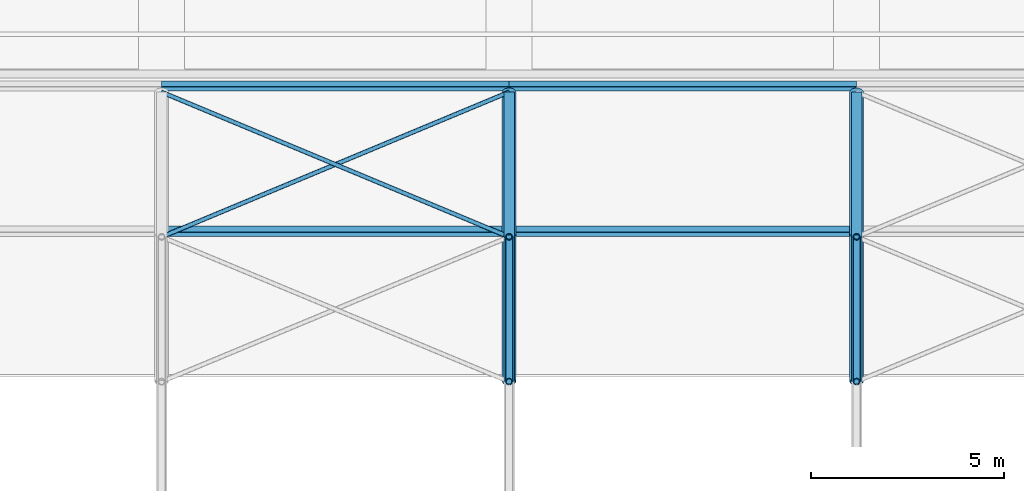
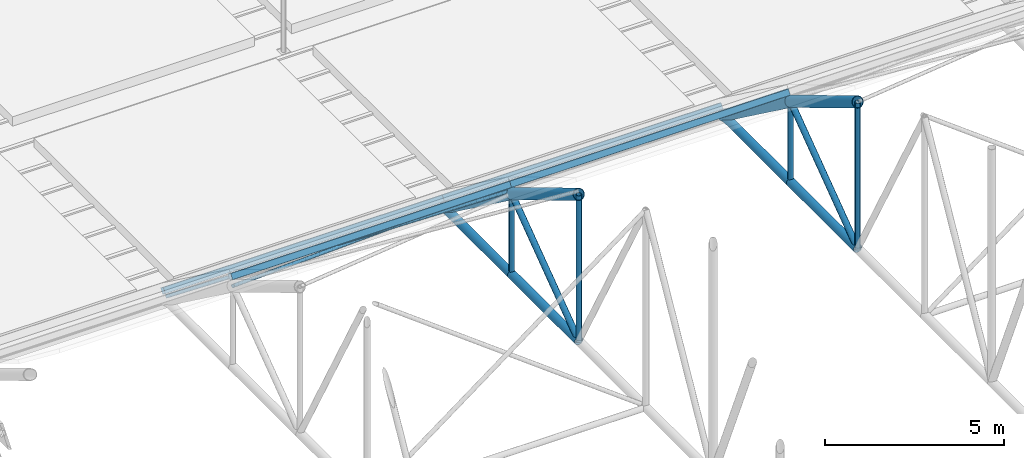
# One storey, part 41 of 153: 20 members.
"""IFC4 building model written with IfcOpenShell, lengths in metres."""

from ifc_helpers import new_model, si_unit, direction, frame, origin, origin_2d, place, context, subcontext, project, spatial, hollow_rectangle, hollow_circle, extrude, material, material_profile, profile_set, type_object, element, save


model = new_model("IFC4")

# Units and contexts
model_context = context("Model", 3, precision=1e-05, world=origin(), true_north=direction((0.0, 1.0)))
body_context = subcontext(model_context, "Body", "Model", "MODEL_VIEW")
ifc_project = project(units=[si_unit("LENGTHUNIT", "METRE"), si_unit("AREAUNIT", "SQUARE_METRE"), si_unit("VOLUMEUNIT", "CUBIC_METRE"), si_unit("PLANEANGLEUNIT", "RADIAN"), si_unit("MASSUNIT", "GRAM", prefix="KILO")], contexts=[model_context])

# Site, building, storey
site_placement = place(None, origin())
site = spatial("IfcSite", under=ifc_project, at=site_placement, CompositionType="ELEMENT")
building_placement = place(site_placement, origin())
building = spatial("IfcBuilding", under=site, at=building_placement, Name="Baradari Gate Terminus", CompositionType="ELEMENT")
storey_placement = place(building_placement, frame((0.0, 0.0, 11.699951171875)))
storey = spatial("IfcBuildingStorey", under=building, at=storey_placement, Name="L02", CompositionType="ELEMENT", Elevation=11.699951171875)

# Members
ifc_material_1 = material(Name="Steel S355", Category="steel")
ifc_material_profile_1 = material_profile(ifc_material_1, hollow_circle(Radius=0.136474609375, WallThickness=0.012451171875, at=origin_2d()), Name="CHS 273x12.5")
ifc_profile_set_1 = profile_set([ifc_material_profile_1], Name="Steel S355")
member_type_1 = type_object("IfcMemberType", Name="Shed bottom chord CHS 273x12.5", PredefinedType="CHORD", material=ifc_profile_set_1)
for number, where, z_axis, x_axis, name in (
    (1, (108.0, 73.5, 0.136474609375), (0.0, 1.0, 0.0), (-1.0, 0.0, 0.0), "TR/L02/S108-BC10"),
    (2, (108.0, 77.25, 0.136474609375), (0.0, 1.0, 0.0), (-1.0, 0.0, 0.0), "TR/L02/S108-BC11"),
    (3, (117.0, 73.5, 0.136474609375), (0.0, 1.0, 0.0), (-1.0, 0.0, 0.0), "TR/L02/S117-BC10"),
    (4, (117.0, 77.25, 0.136474609375), (0.0, 1.0, 0.0), (-1.0, 0.0, 0.0), "TR/L02/S117-BC11"),
):
    element("IfcMember", number, at=place(storey_placement, frame(where, z_axis=z_axis, x_axis=x_axis)), inside=storey, type_object=member_type_1, Name=name, PredefinedType="CHORD", context=body_context, shape_type="SweptSolid", body=[
        extrude(hollow_circle(Radius=0.136474609375, WallThickness=0.012451171875, at=origin_2d()), origin(), (0.0, 0.0, 1.0), 3.75),
    ])
ifc_material_2 = material(Name="Steel S355", Category="steel")
ifc_material_profile_2 = material_profile(ifc_material_2, hollow_rectangle(XDim=0.199951171875, YDim=0.199951171875, WallThickness=0.008056640625, InnerFilletRadius=0.008056640625, OuterFilletRadius=0.01611328125, at=origin_2d()), Name="SHS 200x200x8")
ifc_profile_set_2 = profile_set([ifc_material_profile_2], Name="Steel S355")
member_type_2 = type_object("IfcMemberType", Name="Shed purlin SHS 200x200x8", PredefinedType="PURLIN", material=ifc_profile_set_2)
for number, where, z_axis, x_axis, name in (
    (5, (99.0, 77.397216796875, 3.10791015625), (1.0, 0.0, 0.0), (0.0, 0.832836263724, -0.55351942859), "TR/L02/B108-PU11"),
    (6, (99.0, 81.1572265625, 0.350830078125), (1.0, 0.0, 0.0), (0.0, 0.80640499586, -0.591363663621), "TR/L02/B108-PU12"),
    (7, (108.0, 77.397216796875, 3.10791015625), (1.0, 0.0, 0.0), (0.0, 0.832836263724, -0.55351942859), "TR/L02/B117-PU11"),
    (8, (108.0, 81.1572265625, 0.350830078125), (1.0, 0.0, 0.0), (0.0, 0.80640499586, -0.591363663621), "TR/L02/B117-PU12"),
):
    element("IfcMember", number, at=place(storey_placement, frame(where, z_axis=z_axis, x_axis=x_axis)), inside=storey, type_object=member_type_2, Name=name, PredefinedType="PURLIN", context=body_context, shape_type="SweptSolid", body=[
        extrude(hollow_rectangle(XDim=0.199951171875, YDim=0.199951171875, WallThickness=0.008056640625, InnerFilletRadius=0.008056640625, OuterFilletRadius=0.01611328125, at=origin_2d()), origin(), (0.0, 0.0, 1.0), 9.0),
    ])
ifc_material_3 = material(Name="Steel S355", Category="steel")
ifc_material_profile_3 = material_profile(ifc_material_3, hollow_circle(Radius=0.05712890625, WallThickness=0.00634765625, at=origin_2d()), Name="CHS 114.3x6.3")
ifc_profile_set_3 = profile_set([ifc_material_profile_3], Name="Steel S355")
member_type_3 = type_object("IfcMemberType", Name="Shed roof brace CHS 114.3x6.3", PredefinedType="BRACE", material=ifc_profile_set_3)
for number, where, z_axis, x_axis, name in (
    (9, (99.0, 77.25, 2.886474609375), (0.888415085526, 0.370172952302, -0.271460165022), (-0.384615384615, 0.923076923077, 0.0), "TR/L02/B108-RB11A"),
    (10, (108.0, 77.25, 3.000732421875), (-0.888415085526, 0.370172952302, -0.271460165022), (-0.384615384615, -0.923076923077, 0.0), "TR/L02/B108-RB11B"),
):
    element("IfcMember", number, at=place(storey_placement, frame(where, z_axis=z_axis, x_axis=x_axis)), inside=storey, type_object=member_type_3, Name=name, PredefinedType="BRACE", context=body_context, shape_type="SweptSolid", body=[
        extrude(hollow_circle(Radius=0.05712890625, WallThickness=0.00634765625, at=origin_2d()), origin(), (0.0, 0.0, 1.0), 10.13037109375),
    ])
ifc_material_4 = material(Name="Steel S355", Category="steel")
ifc_material_profile_4 = material_profile(ifc_material_4, hollow_circle(Radius=0.177734375, WallThickness=0.01611328125, at=origin_2d()), Name="CHS 355.6x16")
ifc_profile_set_4 = profile_set([ifc_material_profile_4], Name="Steel S355")
member_type_4 = type_object("IfcMemberType", Name="Shed top chord CHS 355.6x16", PredefinedType="CHORD", material=ifc_profile_set_4)
member_1_placement = place(storey_placement, frame((108.0, 73.5, 5.136474609375), z_axis=(0.0, 0.857492925713, -0.514495755428), x_axis=(-1.0, 0.0, 0.0)))
element("IfcMember", 11, at=member_1_placement, inside=storey, type_object=member_type_4, Name="TR/L02/S108-TC10", PredefinedType="CHORD", context=body_context, shape_type="SweptSolid", body=[
    extrude(hollow_circle(Radius=0.177734375, WallThickness=0.01611328125, at=origin_2d()), origin(), (0.0, 0.0, 1.0), 4.373291015625),
])
member_2_placement = place(storey_placement, frame((108.0, 77.25, 2.886474609375), z_axis=(0.0, 0.806404995856, -0.591363663628), x_axis=(-1.0, 0.0, 0.0)))
element("IfcMember", 12, at=member_2_placement, inside=storey, type_object=member_type_4, Name="TR/L02/S108-TC11", PredefinedType="CHORD", context=body_context, shape_type="SweptSolid", body=[
    extrude(hollow_circle(Radius=0.177734375, WallThickness=0.01611328125, at=origin_2d()), origin(), (0.0, 0.0, 1.0), 4.650390625),
])
member_3_placement = place(storey_placement, frame((117.0, 73.5, 5.136474609375), z_axis=(0.0, 0.857492925713, -0.514495755428), x_axis=(-1.0, 0.0, 0.0)))
element("IfcMember", 13, at=member_3_placement, inside=storey, type_object=member_type_4, Name="TR/L02/S117-TC10", PredefinedType="CHORD", context=body_context, shape_type="SweptSolid", body=[
    extrude(hollow_circle(Radius=0.177734375, WallThickness=0.01611328125, at=origin_2d()), origin(), (0.0, 0.0, 1.0), 4.373291015625),
])
member_4_placement = place(storey_placement, frame((117.0, 77.25, 2.886474609375), z_axis=(0.0, 0.806404995856, -0.591363663628), x_axis=(-1.0, 0.0, 0.0)))
element("IfcMember", 14, at=member_4_placement, inside=storey, type_object=member_type_4, Name="TR/L02/S117-TC11", PredefinedType="CHORD", context=body_context, shape_type="SweptSolid", body=[
    extrude(hollow_circle(Radius=0.177734375, WallThickness=0.01611328125, at=origin_2d()), origin(), (0.0, 0.0, 1.0), 4.650390625),
])
ifc_material_5 = material(Name="Steel S355", Category="steel")
ifc_material_profile_5 = material_profile(ifc_material_5, hollow_circle(Radius=0.096923828125, WallThickness=0.008056640625, at=origin_2d()), Name="CHS 193.7x8")
ifc_profile_set_5 = profile_set([ifc_material_profile_5], Name="Steel S355")
member_type_5 = type_object("IfcMemberType", Name="Shed truss diagonal CHS 193.7x8", PredefinedType="BRACE", material=ifc_profile_set_5)
for number, where, z_axis, x_axis, name in (
    (15, (108.0, 77.25, 2.886474609375), (0.0, -0.806404995856, -0.591363663628), (1.0, 0.0, 0.0), "TR/L02/S108-SD10"),
    (16, (117.0, 77.25, 2.886474609375), (0.0, -0.806404995856, -0.591363663628), (1.0, 0.0, 0.0), "TR/L02/S117-SD10"),
):
    element("IfcMember", number, at=place(storey_placement, frame(where, z_axis=z_axis, x_axis=x_axis)), inside=storey, type_object=member_type_5, Name=name, PredefinedType="BRACE", context=body_context, shape_type="SweptSolid", body=[
        extrude(hollow_circle(Radius=0.096923828125, WallThickness=0.008056640625, at=origin_2d()), origin(), (0.0, 0.0, 1.0), 4.650390625),
    ])
ifc_material_6 = material(Name="Steel S355", Category="steel")
ifc_material_profile_6 = material_profile(ifc_material_6, hollow_circle(Radius=0.084228515625, WallThickness=0.008056640625, at=origin_2d()), Name="CHS 168.3x8")
ifc_profile_set_6 = profile_set([ifc_material_profile_6], Name="Steel S355")
member_type_6 = type_object("IfcMemberType", Name="Shed truss post CHS 168.3x8", PredefinedType="POST", material=ifc_profile_set_6)
member_5_placement = place(storey_placement, frame((108.0, 73.5, 0.136474609375), z_axis=(0.0, 0.0, 1.0), x_axis=(1.0, 0.0, 0.0)))
element("IfcMember", 17, at=member_5_placement, inside=storey, type_object=member_type_6, Name="TR/L02/S108-SP10", PredefinedType="POST", context=body_context, shape_type="SweptSolid", body=[
    extrude(hollow_circle(Radius=0.084228515625, WallThickness=0.008056640625, at=origin_2d()), origin(), (0.0, 0.0, 1.0), 5.0),
])
member_6_placement = place(storey_placement, frame((108.0, 77.25, 0.136474609375), z_axis=(0.0, 0.0, 1.0), x_axis=(1.0, 0.0, 0.0)))
element("IfcMember", 18, at=member_6_placement, inside=storey, type_object=member_type_6, Name="TR/L02/S108-SP11", PredefinedType="POST", context=body_context, shape_type="SweptSolid", body=[
    extrude(hollow_circle(Radius=0.084228515625, WallThickness=0.008056640625, at=origin_2d()), origin(), (0.0, 0.0, 1.0), 2.75),
])
member_7_placement = place(storey_placement, frame((117.0, 73.5, 0.136474609375), z_axis=(0.0, 0.0, 1.0), x_axis=(1.0, 0.0, 0.0)))
element("IfcMember", 19, at=member_7_placement, inside=storey, type_object=member_type_6, Name="TR/L02/S117-SP10", PredefinedType="POST", context=body_context, shape_type="SweptSolid", body=[
    extrude(hollow_circle(Radius=0.084228515625, WallThickness=0.008056640625, at=origin_2d()), origin(), (0.0, 0.0, 1.0), 5.0),
])
member_8_placement = place(storey_placement, frame((117.0, 77.25, 0.136474609375), z_axis=(0.0, 0.0, 1.0), x_axis=(1.0, 0.0, 0.0)))
element("IfcMember", 20, at=member_8_placement, inside=storey, type_object=member_type_6, Name="TR/L02/S117-SP11", PredefinedType="POST", context=body_context, shape_type="SweptSolid", body=[
    extrude(hollow_circle(Radius=0.084228515625, WallThickness=0.008056640625, at=origin_2d()), origin(), (0.0, 0.0, 1.0), 2.75),
])

save(model, "model.ifc")
